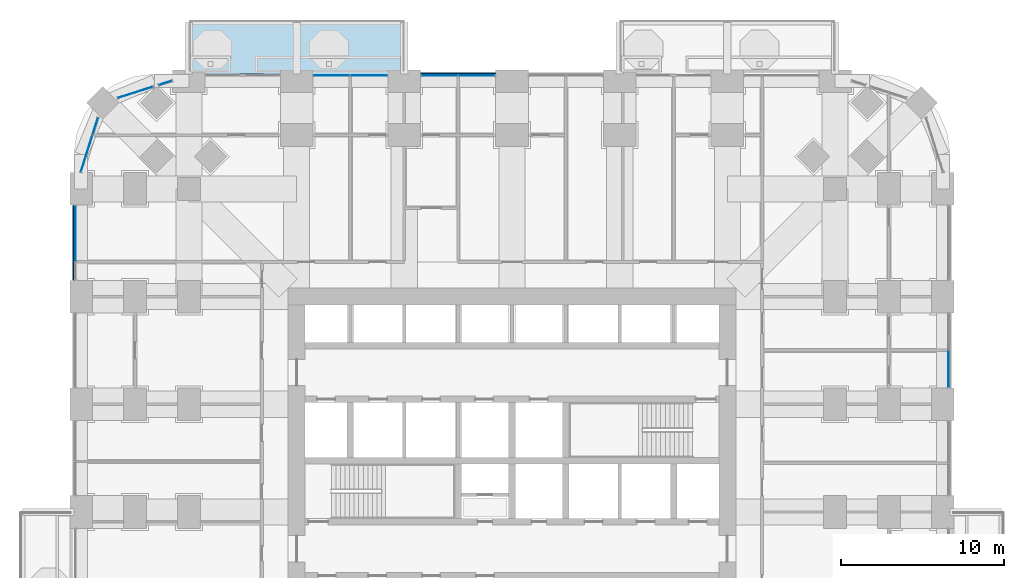
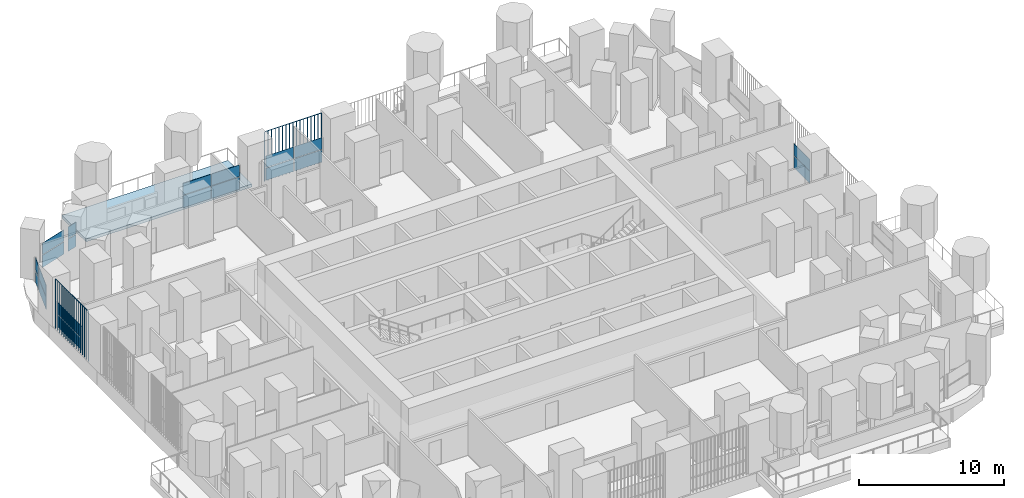
# One storey, part 14 of 27: 22 plates, 1 slab, 7 elements without a shape of their own.
"""IFC4 building model written with IfcOpenShell, lengths in metres."""

from ifc_helpers import new_model, si_unit, direction, frame, origin, origin_2d, place, context, subcontext, project, spatial, polyline, rectangle, outline, extrude, material, layer, layer_set, type_object, element, aggregate, save


model = new_model("IFC4")

# Units and contexts
model_context = context("Model", 3, precision=1e-05, world=origin(), true_north=direction((0.0, 1.0)))
body_context = subcontext(model_context, "Body", "Model", "MODEL_VIEW")
ifc_project = project(units=[si_unit("LENGTHUNIT", "METRE"), si_unit("AREAUNIT", "SQUARE_METRE"), si_unit("VOLUMEUNIT", "CUBIC_METRE"), si_unit("PLANEANGLEUNIT", "RADIAN"), si_unit("MASSUNIT", "GRAM", prefix="KILO")], contexts=[model_context])

# Site, building, storey
site_placement = place(None, origin())
site = spatial("IfcSite", under=ifc_project, at=site_placement, CompositionType="ELEMENT")
building_placement = place(site_placement, origin())
building = spatial("IfcBuilding", under=site, at=building_placement, Name="Cobogo Forest Laboratory Tower", CompositionType="ELEMENT")
storey_placement = place(building_placement, frame((0.0, 0.0, 71.699951171875)))
storey = spatial("IfcBuildingStorey", under=building, at=storey_placement, Name="L16", CompositionType="ELEMENT", Elevation=71.699951171875)

# Slab
ifc_material_1 = material(Name="Concrete HA-40 (C40/50)", Category="concrete")
ifc_layer_1 = layer(ifc_material_1, 0.25)
ifc_layer_set_1 = layer_set([ifc_layer_1], Name="Balcony slab 250")
slab_type = type_object("IfcSlabType", Name="Balcony slab 250", PredefinedType="FLOOR", material=ifc_layer_set_1)
slab_placement = place(storey_placement, frame((0.0, 0.0, -0.25)))
element("IfcSlab", 1, at=slab_placement, inside=storey, type_object=slab_type, Name="Balcony BAL-N1 L16", PredefinedType="FLOOR", context=body_context, shape_type="SweptSolid", body=[
    extrude(outline(polyline([(6.60009765625, 46.64990234375), (19.800048828125, 46.64990234375), (19.800048828125, 49.949951171875), (6.60009765625, 49.949951171875), (6.60009765625, 46.64990234375)])), origin(), (0.0, 0.0, 1.0), 0.25),
])

# Curtain wall, plates
ifc_material_2 = material(Name="Aluminium curtain wall", Category="aluminium")
curtain_wall_type = type_object("IfcCurtainWallType", Name="CW-1 unitised curtain wall, clear glazing, laboratory floors zones A and B", PredefinedType="USERDEFINED", material=ifc_material_2)
curtain_wall_1_placement = place(storey_placement, origin())
curtain_wall_1 = element("IfcCurtainWall", 2, at=curtain_wall_1_placement, inside=storey, type_object=curtain_wall_type, Name="Curtain wall 13 L16", ObjectType="UNITISED CURTAIN WALL", PredefinedType="USERDEFINED")
ifc_material_3 = material(Name="Clear insulated glass", Category="glass")
ifc_layer_2 = layer(ifc_material_3, 0.028076171875)
ifc_layer_set_2 = layer_set([ifc_layer_2], Name="GP-1 clear insulated glass unit 28")
plate_type_1 = type_object("IfcPlateType", Name="GP-1 clear insulated glass unit 28", PredefinedType="CURTAIN_PANEL", material=ifc_layer_set_2)
plate_1_placement = place(storey_placement, frame((53.14990234375, 28.56494140625, 0.0), z_axis=(0.0, 0.0, 1.0), x_axis=(0.0, 1.0, 0.0)))
plate_1 = element("IfcPlate", 3, at=plate_1_placement, type_object=plate_type_1, Name="CW-1 panel 1.1", PredefinedType="CURTAIN_PANEL", context=body_context, shape_type="SweptSolid", body=[
    extrude(rectangle(XDim=2.2099609375, YDim=0.028076171875, at=origin_2d()), origin(), (0.0, 0.0, 1.0), 1.02001953125),
])
plate_2_placement = place(storey_placement, frame((53.14990234375, 28.56494140625, 1.080078125), z_axis=(0.0, 0.0, 1.0), x_axis=(0.0, 1.0, 0.0)))
plate_2 = element("IfcPlate", 4, at=plate_2_placement, type_object=plate_type_1, Name="CW-1 panel 1.2", PredefinedType="CURTAIN_PANEL", context=body_context, shape_type="SweptSolid", body=[
    extrude(rectangle(XDim=2.2099609375, YDim=0.028076171875, at=origin_2d()), origin(), (0.0, 0.0, 1.0), 0.969970703125),
])
aggregate(curtain_wall_1, [plate_1, plate_2])

curtain_wall_2_placement = place(storey_placement, origin())
curtain_wall_2 = element("IfcCurtainWall", 5, at=curtain_wall_2_placement, inside=storey, type_object=curtain_wall_type, Name="Curtain wall 21 L16", ObjectType="UNITISED CURTAIN WALL", PredefinedType="USERDEFINED")
plate_3_placement = place(storey_placement, frame((24.235107421875, 46.550048828125, 0.0), z_axis=(0.0, 0.0, 1.0), x_axis=(-1.0, 0.0, 0.0)))
plate_3 = element("IfcPlate", 6, at=plate_3_placement, type_object=plate_type_1, Name="CW-1 panel 1.1", PredefinedType="CURTAIN_PANEL", context=body_context, shape_type="SweptSolid", body=[
    extrude(rectangle(XDim=2.2099609375, YDim=0.028076171875, at=origin_2d()), origin(), (0.0, 0.0, 1.0), 1.02001953125),
])
plate_4_placement = place(storey_placement, frame((24.235107421875, 46.550048828125, 1.080078125), z_axis=(0.0, 0.0, 1.0), x_axis=(-1.0, 0.0, 0.0)))
plate_4 = element("IfcPlate", 7, at=plate_4_placement, type_object=plate_type_1, Name="CW-1 panel 1.2", PredefinedType="CURTAIN_PANEL", context=body_context, shape_type="SweptSolid", body=[
    extrude(rectangle(XDim=2.2099609375, YDim=0.028076171875, at=origin_2d()), origin(), (0.0, 0.0, 1.0), 0.969970703125),
])
plate_5_placement = place(storey_placement, frame((21.965087890625, 46.550048828125, 0.0), z_axis=(0.0, 0.0, 1.0), x_axis=(-1.0, 0.0, 0.0)))
plate_5 = element("IfcPlate", 8, at=plate_5_placement, type_object=plate_type_1, Name="CW-1 panel 2.1", PredefinedType="CURTAIN_PANEL", context=body_context, shape_type="SweptSolid", body=[
    extrude(rectangle(XDim=2.2099609375, YDim=0.028076171875, at=origin_2d()), origin(), (0.0, 0.0, 1.0), 1.02001953125),
])
plate_6_placement = place(storey_placement, frame((21.965087890625, 46.550048828125, 1.080078125), z_axis=(0.0, 0.0, 1.0), x_axis=(-1.0, 0.0, 0.0)))
plate_6 = element("IfcPlate", 9, at=plate_6_placement, type_object=plate_type_1, Name="CW-1 panel 2.2", PredefinedType="CURTAIN_PANEL", context=body_context, shape_type="SweptSolid", body=[
    extrude(rectangle(XDim=2.2099609375, YDim=0.028076171875, at=origin_2d()), origin(), (0.0, 0.0, 1.0), 0.969970703125),
])
aggregate(curtain_wall_2, [plate_3, plate_4, plate_5, plate_6])

curtain_wall_3_placement = place(storey_placement, origin())
curtain_wall_3 = element("IfcCurtainWall", 10, at=curtain_wall_3_placement, inside=storey, type_object=curtain_wall_type, Name="Curtain wall 22 L16", ObjectType="UNITISED CURTAIN WALL", PredefinedType="USERDEFINED")
plate_7_placement = place(storey_placement, frame((17.635009765625, 46.550048828125, 0.0), z_axis=(0.0, 0.0, 1.0), x_axis=(-1.0, 0.0, 0.0)))
plate_7 = element("IfcPlate", 11, at=plate_7_placement, type_object=plate_type_1, Name="CW-1 panel 1.1", PredefinedType="CURTAIN_PANEL", context=body_context, shape_type="SweptSolid", body=[
    extrude(rectangle(XDim=2.2099609375, YDim=0.028076171875, at=origin_2d()), origin(), (0.0, 0.0, 1.0), 1.02001953125),
])
plate_8_placement = place(storey_placement, frame((17.635009765625, 46.550048828125, 1.080078125), z_axis=(0.0, 0.0, 1.0), x_axis=(-1.0, 0.0, 0.0)))
plate_8 = element("IfcPlate", 12, at=plate_8_placement, type_object=plate_type_1, Name="CW-1 panel 1.2", PredefinedType="CURTAIN_PANEL", context=body_context, shape_type="SweptSolid", body=[
    extrude(rectangle(XDim=2.2099609375, YDim=0.028076171875, at=origin_2d()), origin(), (0.0, 0.0, 1.0), 0.969970703125),
])
plate_9_placement = place(storey_placement, frame((15.364990234375, 46.550048828125, 0.0), z_axis=(0.0, 0.0, 1.0), x_axis=(-1.0, 0.0, 0.0)))
plate_9 = element("IfcPlate", 13, at=plate_9_placement, type_object=plate_type_1, Name="CW-1 panel 2.1", PredefinedType="CURTAIN_PANEL", context=body_context, shape_type="SweptSolid", body=[
    extrude(rectangle(XDim=2.2099609375, YDim=0.028076171875, at=origin_2d()), origin(), (0.0, 0.0, 1.0), 1.02001953125),
])
plate_10_placement = place(storey_placement, frame((15.364990234375, 46.550048828125, 1.080078125), z_axis=(0.0, 0.0, 1.0), x_axis=(-1.0, 0.0, 0.0)))
plate_10 = element("IfcPlate", 14, at=plate_10_placement, type_object=plate_type_1, Name="CW-1 panel 2.2", PredefinedType="CURTAIN_PANEL", context=body_context, shape_type="SweptSolid", body=[
    extrude(rectangle(XDim=2.2099609375, YDim=0.028076171875, at=origin_2d()), origin(), (0.0, 0.0, 1.0), 0.969970703125),
])
aggregate(curtain_wall_3, [plate_7, plate_8, plate_9, plate_10])

curtain_wall_4_placement = place(storey_placement, origin())
curtain_wall_4 = element("IfcCurtainWall", 15, at=curtain_wall_4_placement, inside=storey, type_object=curtain_wall_type, Name="Curtain wall 24 L16", ObjectType="UNITISED CURTAIN WALL", PredefinedType="USERDEFINED")
plate_11_placement = place(storey_placement, frame((5.158935546875, 46.094970703125, 0.0), z_axis=(0.0, 0.0, 1.0), x_axis=(-0.953581406818, -0.301135352577, 0.0)))
plate_11 = element("IfcPlate", 16, at=plate_11_placement, type_object=plate_type_1, Name="CW-1 panel 1.1", PredefinedType="CURTAIN_PANEL", context=body_context, shape_type="SweptSolid", body=[
    extrude(rectangle(XDim=0.804931640625, YDim=0.028076171875, at=origin_2d()), origin(), (0.0, 0.0, 1.0), 1.02001953125),
])
plate_12_placement = place(storey_placement, frame((5.158935546875, 46.094970703125, 1.080078125), z_axis=(0.0, 0.0, 1.0), x_axis=(-0.953581406818, -0.301135352577, 0.0)))
plate_12 = element("IfcPlate", 17, at=plate_12_placement, type_object=plate_type_1, Name="CW-1 panel 1.2", PredefinedType="CURTAIN_PANEL", context=body_context, shape_type="SweptSolid", body=[
    extrude(rectangle(XDim=0.804931640625, YDim=0.028076171875, at=origin_2d()), origin(), (0.0, 0.0, 1.0), 0.969970703125),
])
aggregate(curtain_wall_4, [plate_11, plate_12])

curtain_wall_5_placement = place(storey_placement, origin())
curtain_wall_5 = element("IfcCurtainWall", 18, at=curtain_wall_5_placement, inside=storey, type_object=curtain_wall_type, Name="Curtain wall 25 L16", ObjectType="UNITISED CURTAIN WALL", PredefinedType="USERDEFINED")
plate_13_placement = place(storey_placement, frame((3.31787109375, 45.513427734375, 0.0), z_axis=(0.0, 0.0, 1.0), x_axis=(-0.953581409645, -0.301135343623, 0.0)))
plate_13 = element("IfcPlate", 19, at=plate_13_placement, type_object=plate_type_1, Name="CW-1 panel 1.1", PredefinedType="CURTAIN_PANEL", context=body_context, shape_type="SweptSolid", body=[
    extrude(rectangle(XDim=2.203369140625, YDim=0.028076171875, at=origin_2d()), origin(), (0.0, 0.0, 1.0), 1.02001953125),
])
plate_14_placement = place(storey_placement, frame((3.31787109375, 45.513427734375, 1.080078125), z_axis=(0.0, 0.0, 1.0), x_axis=(-0.953581409645, -0.301135343623, 0.0)))
plate_14 = element("IfcPlate", 20, at=plate_14_placement, type_object=plate_type_1, Name="CW-1 panel 1.2", PredefinedType="CURTAIN_PANEL", context=body_context, shape_type="SweptSolid", body=[
    extrude(rectangle(XDim=2.203369140625, YDim=0.028076171875, at=origin_2d()), origin(), (0.0, 0.0, 1.0), 0.969970703125),
])
aggregate(curtain_wall_5, [plate_13, plate_14])

curtain_wall_6_placement = place(storey_placement, origin())
curtain_wall_6 = element("IfcCurtainWall", 21, at=curtain_wall_6_placement, inside=storey, type_object=curtain_wall_type, Name="Curtain wall 26 L16", ObjectType="UNITISED CURTAIN WALL", PredefinedType="USERDEFINED")
plate_15_placement = place(storey_placement, frame((0.863525390625, 43.442626953125, 0.0), z_axis=(0.0, 0.0, 1.0), x_axis=(-0.301135433696, -0.953581381201, 0.0)))
plate_15 = element("IfcPlate", 22, at=plate_15_placement, type_object=plate_type_1, Name="CW-1 panel 1.1", PredefinedType="CURTAIN_PANEL", context=body_context, shape_type="SweptSolid", body=[
    extrude(rectangle(XDim=1.027587890625, YDim=0.028076171875, at=origin_2d()), origin(), (0.0, 0.0, 1.0), 1.02001953125),
])
plate_16_placement = place(storey_placement, frame((0.863525390625, 43.442626953125, 1.080078125), z_axis=(0.0, 0.0, 1.0), x_axis=(-0.301135433696, -0.953581381201, 0.0)))
plate_16 = element("IfcPlate", 23, at=plate_16_placement, type_object=plate_type_1, Name="CW-1 panel 1.2", PredefinedType="CURTAIN_PANEL", context=body_context, shape_type="SweptSolid", body=[
    extrude(rectangle(XDim=1.027587890625, YDim=0.028076171875, at=origin_2d()), origin(), (0.0, 0.0, 1.0), 0.969970703125),
])
plate_17_placement = place(storey_placement, frame((0.337158203125, 41.7763671875, 0.0), z_axis=(0.0, 0.0, 1.0), x_axis=(-0.301135433696, -0.953581381201, 0.0)))
plate_17 = element("IfcPlate", 24, at=plate_17_placement, type_object=plate_type_1, Name="CW-1 panel 2.1", PredefinedType="CURTAIN_PANEL", context=body_context, shape_type="SweptSolid", body=[
    extrude(rectangle(XDim=2.34716796875, YDim=0.028076171875, at=origin_2d()), origin(), (0.0, 0.0, 1.0), 1.02001953125),
])
plate_18_placement = place(storey_placement, frame((0.337158203125, 41.7763671875, 1.080078125), z_axis=(0.0, 0.0, 1.0), x_axis=(-0.301135433696, -0.953581381201, 0.0)))
plate_18 = element("IfcPlate", 25, at=plate_18_placement, type_object=plate_type_1, Name="CW-1 panel 2.2", PredefinedType="CURTAIN_PANEL", context=body_context, shape_type="SweptSolid", body=[
    extrude(rectangle(XDim=2.34716796875, YDim=0.028076171875, at=origin_2d()), origin(), (0.0, 0.0, 1.0), 0.969970703125),
])
aggregate(curtain_wall_6, [plate_15, plate_16, plate_17, plate_18])

curtain_wall_7_placement = place(storey_placement, origin())
curtain_wall_7 = element("IfcCurtainWall", 26, at=curtain_wall_7_placement, inside=storey, type_object=curtain_wall_type, Name="Curtain wall 27 L16", ObjectType="UNITISED CURTAIN WALL", PredefinedType="USERDEFINED")
plate_19_placement = place(storey_placement, frame((-0.35009765625, 36.847412109375, 0.0), z_axis=(0.0, 0.0, 1.0), x_axis=(0.0, -1.0, 0.0)))
plate_19 = element("IfcPlate", 27, at=plate_19_placement, type_object=plate_type_1, Name="CW-1 panel 1.1", PredefinedType="CURTAIN_PANEL", context=body_context, shape_type="SweptSolid", body=[
    extrude(rectangle(XDim=3.385009765625, YDim=0.028076171875, at=origin_2d()), origin(), (0.0, 0.0, 1.0), 1.02001953125),
])
plate_20_placement = place(storey_placement, frame((-0.35009765625, 36.847412109375, 1.080078125), z_axis=(0.0, 0.0, 1.0), x_axis=(0.0, -1.0, 0.0)))
plate_20 = element("IfcPlate", 28, at=plate_20_placement, type_object=plate_type_1, Name="CW-1 panel 1.2", PredefinedType="CURTAIN_PANEL", context=body_context, shape_type="SweptSolid", body=[
    extrude(rectangle(XDim=3.385009765625, YDim=0.028076171875, at=origin_2d()), origin(), (0.0, 0.0, 1.0), 0.969970703125),
])
aggregate(curtain_wall_7, [plate_19, plate_20])

# Plates
ifc_material_4 = material(Name="Terracotta", Category="masonry")
plate_type_2 = type_object("IfcPlateType", Name="TB1 terracotta baguette screen", PredefinedType="USERDEFINED", material=ifc_material_4)
plate_21_placement = place(storey_placement, frame((20.831298828125, 46.677978515625, -0.14990234375)))
element("IfcPlate", 29, at=plate_21_placement, inside=storey, type_object=plate_type_2, Name="Baguette screen N3 L16", ObjectType="BAGUETTE SCREEN", PredefinedType="USERDEFINED", context=body_context, shape_type="SweptSolid", body=[
    extrude(outline(polyline([(0.02880859375, 0.011962890625), (0.011962890625, 0.02880859375), (-0.011962890625, 0.02880859375), (-0.02880859375, 0.011962890625), (-0.02880859375, -0.011962890625), (-0.011962890625, -0.02880859375), (0.011962890625, -0.02880859375), (0.02880859375, -0.011962890625), (0.02880859375, 0.011962890625)])), frame((0.0, 0.0, 4.168701171875), z_axis=(1.0, 0.0, 0.0), x_axis=(0.0, 1.0, 0.0)), (0.0, 0.0, 1.0), 4.537353515625),
    extrude(outline(polyline([(0.02880859375, 0.011962890625), (0.011962890625, 0.02880859375), (-0.011962890625, 0.02880859375), (-0.02880859375, 0.011962890625), (-0.02880859375, -0.011962890625), (-0.011962890625, -0.02880859375), (0.011962890625, -0.02880859375), (0.02880859375, -0.011962890625), (0.02880859375, 0.011962890625)])), origin(), (0.0, 0.0, 1.0), 4.137451171875),
    extrude(outline(polyline([(0.02880859375, 0.011962890625), (0.011962890625, 0.02880859375), (-0.011962890625, 0.02880859375), (-0.02880859375, 0.011962890625), (-0.02880859375, -0.011962890625), (-0.011962890625, -0.02880859375), (0.011962890625, -0.02880859375), (0.02880859375, -0.011962890625), (0.02880859375, 0.011962890625)])), frame((0.28369140625, 0.0, 0.0)), (0.0, 0.0, 1.0), 4.137451171875),
    extrude(outline(polyline([(0.02880859375, 0.011962890625), (0.011962890625, 0.02880859375), (-0.011962890625, 0.02880859375), (-0.02880859375, 0.011962890625), (-0.02880859375, -0.011962890625), (-0.011962890625, -0.02880859375), (0.011962890625, -0.02880859375), (0.02880859375, -0.011962890625), (0.02880859375, 0.011962890625)])), frame((0.567138671875, 0.0, 0.0)), (0.0, 0.0, 1.0), 4.137451171875),
    extrude(outline(polyline([(0.02880859375, 0.011962890625), (0.011962890625, 0.02880859375), (-0.011962890625, 0.02880859375), (-0.02880859375, 0.011962890625), (-0.02880859375, -0.011962890625), (-0.011962890625, -0.02880859375), (0.011962890625, -0.02880859375), (0.02880859375, -0.011962890625), (0.02880859375, 0.011962890625)])), frame((0.850830078125, 0.0, 0.0)), (0.0, 0.0, 1.0), 4.137451171875),
    extrude(outline(polyline([(0.02880859375, 0.011962890625), (0.011962890625, 0.02880859375), (-0.011962890625, 0.02880859375), (-0.02880859375, 0.011962890625), (-0.02880859375, -0.011962890625), (-0.011962890625, -0.02880859375), (0.011962890625, -0.02880859375), (0.02880859375, -0.011962890625), (0.02880859375, 0.011962890625)])), frame((1.13427734375, 0.0, 0.0)), (0.0, 0.0, 1.0), 4.137451171875),
    extrude(outline(polyline([(0.02880859375, 0.011962890625), (0.011962890625, 0.02880859375), (-0.011962890625, 0.02880859375), (-0.02880859375, 0.011962890625), (-0.02880859375, -0.011962890625), (-0.011962890625, -0.02880859375), (0.011962890625, -0.02880859375), (0.02880859375, -0.011962890625), (0.02880859375, 0.011962890625)])), frame((1.41796875, 0.0, 0.0)), (0.0, 0.0, 1.0), 4.137451171875),
    extrude(outline(polyline([(0.02880859375, 0.011962890625), (0.011962890625, 0.02880859375), (-0.011962890625, 0.02880859375), (-0.02880859375, 0.011962890625), (-0.02880859375, -0.011962890625), (-0.011962890625, -0.02880859375), (0.011962890625, -0.02880859375), (0.02880859375, -0.011962890625), (0.02880859375, 0.011962890625)])), frame((1.701416015625, 0.0, 0.0)), (0.0, 0.0, 1.0), 4.137451171875),
    extrude(outline(polyline([(0.02880859375, 0.011962890625), (0.011962890625, 0.02880859375), (-0.011962890625, 0.02880859375), (-0.02880859375, 0.011962890625), (-0.02880859375, -0.011962890625), (-0.011962890625, -0.02880859375), (0.011962890625, -0.02880859375), (0.02880859375, -0.011962890625), (0.02880859375, 0.011962890625)])), frame((1.985107421875, 0.0, 0.0)), (0.0, 0.0, 1.0), 4.137451171875),
    extrude(outline(polyline([(0.02880859375, 0.011962890625), (0.011962890625, 0.02880859375), (-0.011962890625, 0.02880859375), (-0.02880859375, 0.011962890625), (-0.02880859375, -0.011962890625), (-0.011962890625, -0.02880859375), (0.011962890625, -0.02880859375), (0.02880859375, -0.011962890625), (0.02880859375, 0.011962890625)])), frame((2.2685546875, 0.0, 0.0)), (0.0, 0.0, 1.0), 4.137451171875),
    extrude(outline(polyline([(0.02880859375, 0.011962890625), (0.011962890625, 0.02880859375), (-0.011962890625, 0.02880859375), (-0.02880859375, 0.011962890625), (-0.02880859375, -0.011962890625), (-0.011962890625, -0.02880859375), (0.011962890625, -0.02880859375), (0.02880859375, -0.011962890625), (0.02880859375, 0.011962890625)])), frame((2.55224609375, 0.0, 0.0)), (0.0, 0.0, 1.0), 4.137451171875),
    extrude(outline(polyline([(0.02880859375, 0.011962890625), (0.011962890625, 0.02880859375), (-0.011962890625, 0.02880859375), (-0.02880859375, 0.011962890625), (-0.02880859375, -0.011962890625), (-0.011962890625, -0.02880859375), (0.011962890625, -0.02880859375), (0.02880859375, -0.011962890625), (0.02880859375, 0.011962890625)])), frame((2.8359375, 0.0, 0.0)), (0.0, 0.0, 1.0), 4.137451171875),
    extrude(outline(polyline([(0.02880859375, 0.011962890625), (0.011962890625, 0.02880859375), (-0.011962890625, 0.02880859375), (-0.02880859375, 0.011962890625), (-0.02880859375, -0.011962890625), (-0.011962890625, -0.02880859375), (0.011962890625, -0.02880859375), (0.02880859375, -0.011962890625), (0.02880859375, 0.011962890625)])), frame((3.119384765625, 0.0, 0.0)), (0.0, 0.0, 1.0), 4.137451171875),
    extrude(outline(polyline([(0.02880859375, 0.011962890625), (0.011962890625, 0.02880859375), (-0.011962890625, 0.02880859375), (-0.02880859375, 0.011962890625), (-0.02880859375, -0.011962890625), (-0.011962890625, -0.02880859375), (0.011962890625, -0.02880859375), (0.02880859375, -0.011962890625), (0.02880859375, 0.011962890625)])), frame((3.403076171875, 0.0, 0.0)), (0.0, 0.0, 1.0), 4.137451171875),
    extrude(outline(polyline([(0.02880859375, 0.011962890625), (0.011962890625, 0.02880859375), (-0.011962890625, 0.02880859375), (-0.02880859375, 0.011962890625), (-0.02880859375, -0.011962890625), (-0.011962890625, -0.02880859375), (0.011962890625, -0.02880859375), (0.02880859375, -0.011962890625), (0.02880859375, 0.011962890625)])), frame((3.6865234375, 0.0, 0.0)), (0.0, 0.0, 1.0), 4.137451171875),
    extrude(outline(polyline([(0.02880859375, 0.011962890625), (0.011962890625, 0.02880859375), (-0.011962890625, 0.02880859375), (-0.02880859375, 0.011962890625), (-0.02880859375, -0.011962890625), (-0.011962890625, -0.02880859375), (0.011962890625, -0.02880859375), (0.02880859375, -0.011962890625), (0.02880859375, 0.011962890625)])), frame((3.97021484375, 0.0, 0.0)), (0.0, 0.0, 1.0), 4.137451171875),
    extrude(outline(polyline([(0.02880859375, 0.011962890625), (0.011962890625, 0.02880859375), (-0.011962890625, 0.02880859375), (-0.02880859375, 0.011962890625), (-0.02880859375, -0.011962890625), (-0.011962890625, -0.02880859375), (0.011962890625, -0.02880859375), (0.02880859375, -0.011962890625), (0.02880859375, 0.011962890625)])), frame((4.253662109375, 0.0, 0.0)), (0.0, 0.0, 1.0), 4.137451171875),
    extrude(outline(polyline([(0.02880859375, 0.011962890625), (0.011962890625, 0.02880859375), (-0.011962890625, 0.02880859375), (-0.02880859375, 0.011962890625), (-0.02880859375, -0.011962890625), (-0.011962890625, -0.02880859375), (0.011962890625, -0.02880859375), (0.02880859375, -0.011962890625), (0.02880859375, 0.011962890625)])), frame((4.537353515625, 0.0, 0.0)), (0.0, 0.0, 1.0), 4.137451171875),
])
plate_22_placement = place(storey_placement, frame((-0.477783203125, 34.03125, -0.14990234375)))
element("IfcPlate", 30, at=plate_22_placement, inside=storey, type_object=plate_type_2, Name="Baguette screen W5 L16", ObjectType="BAGUETTE SCREEN", PredefinedType="USERDEFINED", context=body_context, shape_type="SweptSolid", body=[
    extrude(outline(polyline([(0.02880859375, 0.011962890625), (0.011962890625, 0.02880859375), (-0.011962890625, 0.02880859375), (-0.02880859375, 0.011962890625), (-0.02880859375, -0.011962890625), (-0.011962890625, -0.02880859375), (0.011962890625, -0.02880859375), (0.02880859375, -0.011962890625), (0.02880859375, 0.011962890625)])), frame((0.0, 0.0, 4.168701171875), z_axis=(0.0, 1.0, 0.0), x_axis=(-1.0, 0.0, 0.0)), (0.0, 0.0, 1.0), 4.53759765625),
    extrude(outline(polyline([(0.02880859375, 0.011962890625), (0.011962890625, 0.02880859375), (-0.011962890625, 0.02880859375), (-0.02880859375, 0.011962890625), (-0.02880859375, -0.011962890625), (-0.011962890625, -0.02880859375), (0.011962890625, -0.02880859375), (0.02880859375, -0.011962890625), (0.02880859375, 0.011962890625)])), origin(), (0.0, 0.0, 1.0), 4.137451171875),
    extrude(outline(polyline([(0.02880859375, 0.011962890625), (0.011962890625, 0.02880859375), (-0.011962890625, 0.02880859375), (-0.02880859375, 0.011962890625), (-0.02880859375, -0.011962890625), (-0.011962890625, -0.02880859375), (0.011962890625, -0.02880859375), (0.02880859375, -0.011962890625), (0.02880859375, 0.011962890625)])), frame((0.0, 0.28369140625, 0.0)), (0.0, 0.0, 1.0), 4.137451171875),
    extrude(outline(polyline([(0.02880859375, 0.011962890625), (0.011962890625, 0.02880859375), (-0.011962890625, 0.02880859375), (-0.02880859375, 0.011962890625), (-0.02880859375, -0.011962890625), (-0.011962890625, -0.02880859375), (0.011962890625, -0.02880859375), (0.02880859375, -0.011962890625), (0.02880859375, 0.011962890625)])), frame((0.0, 0.567138671875, 0.0)), (0.0, 0.0, 1.0), 4.137451171875),
    extrude(outline(polyline([(0.02880859375, 0.011962890625), (0.011962890625, 0.02880859375), (-0.011962890625, 0.02880859375), (-0.02880859375, 0.011962890625), (-0.02880859375, -0.011962890625), (-0.011962890625, -0.02880859375), (0.011962890625, -0.02880859375), (0.02880859375, -0.011962890625), (0.02880859375, 0.011962890625)])), frame((0.0, 0.850830078125, 0.0)), (0.0, 0.0, 1.0), 4.137451171875),
    extrude(outline(polyline([(0.02880859375, 0.011962890625), (0.011962890625, 0.02880859375), (-0.011962890625, 0.02880859375), (-0.02880859375, 0.011962890625), (-0.02880859375, -0.011962890625), (-0.011962890625, -0.02880859375), (0.011962890625, -0.02880859375), (0.02880859375, -0.011962890625), (0.02880859375, 0.011962890625)])), frame((0.0, 1.13427734375, 0.0)), (0.0, 0.0, 1.0), 4.137451171875),
    extrude(outline(polyline([(0.02880859375, 0.011962890625), (0.011962890625, 0.02880859375), (-0.011962890625, 0.02880859375), (-0.02880859375, 0.011962890625), (-0.02880859375, -0.011962890625), (-0.011962890625, -0.02880859375), (0.011962890625, -0.02880859375), (0.02880859375, -0.011962890625), (0.02880859375, 0.011962890625)])), frame((0.0, 1.41796875, 0.0)), (0.0, 0.0, 1.0), 4.137451171875),
    extrude(outline(polyline([(0.02880859375, 0.011962890625), (0.011962890625, 0.02880859375), (-0.011962890625, 0.02880859375), (-0.02880859375, 0.011962890625), (-0.02880859375, -0.011962890625), (-0.011962890625, -0.02880859375), (0.011962890625, -0.02880859375), (0.02880859375, -0.011962890625), (0.02880859375, 0.011962890625)])), frame((0.0, 1.70166015625, 0.0)), (0.0, 0.0, 1.0), 4.137451171875),
    extrude(outline(polyline([(0.02880859375, 0.011962890625), (0.011962890625, 0.02880859375), (-0.011962890625, 0.02880859375), (-0.02880859375, 0.011962890625), (-0.02880859375, -0.011962890625), (-0.011962890625, -0.02880859375), (0.011962890625, -0.02880859375), (0.02880859375, -0.011962890625), (0.02880859375, 0.011962890625)])), frame((0.0, 1.985107421875, 0.0)), (0.0, 0.0, 1.0), 4.137451171875),
    extrude(outline(polyline([(0.02880859375, 0.011962890625), (0.011962890625, 0.02880859375), (-0.011962890625, 0.02880859375), (-0.02880859375, 0.011962890625), (-0.02880859375, -0.011962890625), (-0.011962890625, -0.02880859375), (0.011962890625, -0.02880859375), (0.02880859375, -0.011962890625), (0.02880859375, 0.011962890625)])), frame((0.0, 2.268798828125, 0.0)), (0.0, 0.0, 1.0), 4.137451171875),
    extrude(outline(polyline([(0.02880859375, 0.011962890625), (0.011962890625, 0.02880859375), (-0.011962890625, 0.02880859375), (-0.02880859375, 0.011962890625), (-0.02880859375, -0.011962890625), (-0.011962890625, -0.02880859375), (0.011962890625, -0.02880859375), (0.02880859375, -0.011962890625), (0.02880859375, 0.011962890625)])), frame((0.0, 2.552490234375, 0.0)), (0.0, 0.0, 1.0), 4.137451171875),
    extrude(outline(polyline([(0.02880859375, 0.011962890625), (0.011962890625, 0.02880859375), (-0.011962890625, 0.02880859375), (-0.02880859375, 0.011962890625), (-0.02880859375, -0.011962890625), (-0.011962890625, -0.02880859375), (0.011962890625, -0.02880859375), (0.02880859375, -0.011962890625), (0.02880859375, 0.011962890625)])), frame((0.0, 2.8359375, 0.0)), (0.0, 0.0, 1.0), 4.137451171875),
    extrude(outline(polyline([(0.02880859375, 0.011962890625), (0.011962890625, 0.02880859375), (-0.011962890625, 0.02880859375), (-0.02880859375, 0.011962890625), (-0.02880859375, -0.011962890625), (-0.011962890625, -0.02880859375), (0.011962890625, -0.02880859375), (0.02880859375, -0.011962890625), (0.02880859375, 0.011962890625)])), frame((0.0, 3.11962890625, 0.0)), (0.0, 0.0, 1.0), 4.137451171875),
    extrude(outline(polyline([(0.02880859375, 0.011962890625), (0.011962890625, 0.02880859375), (-0.011962890625, 0.02880859375), (-0.02880859375, 0.011962890625), (-0.02880859375, -0.011962890625), (-0.011962890625, -0.02880859375), (0.011962890625, -0.02880859375), (0.02880859375, -0.011962890625), (0.02880859375, 0.011962890625)])), frame((0.0, 3.4033203125, 0.0)), (0.0, 0.0, 1.0), 4.137451171875),
    extrude(outline(polyline([(0.02880859375, 0.011962890625), (0.011962890625, 0.02880859375), (-0.011962890625, 0.02880859375), (-0.02880859375, 0.011962890625), (-0.02880859375, -0.011962890625), (-0.011962890625, -0.02880859375), (0.011962890625, -0.02880859375), (0.02880859375, -0.011962890625), (0.02880859375, 0.011962890625)])), frame((0.0, 3.686767578125, 0.0)), (0.0, 0.0, 1.0), 4.137451171875),
    extrude(outline(polyline([(0.02880859375, 0.011962890625), (0.011962890625, 0.02880859375), (-0.011962890625, 0.02880859375), (-0.02880859375, 0.011962890625), (-0.02880859375, -0.011962890625), (-0.011962890625, -0.02880859375), (0.011962890625, -0.02880859375), (0.02880859375, -0.011962890625), (0.02880859375, 0.011962890625)])), frame((0.0, 3.970458984375, 0.0)), (0.0, 0.0, 1.0), 4.137451171875),
    extrude(outline(polyline([(0.02880859375, 0.011962890625), (0.011962890625, 0.02880859375), (-0.011962890625, 0.02880859375), (-0.02880859375, 0.011962890625), (-0.02880859375, -0.011962890625), (-0.011962890625, -0.02880859375), (0.011962890625, -0.02880859375), (0.02880859375, -0.011962890625), (0.02880859375, 0.011962890625)])), frame((0.0, 4.25390625, 0.0)), (0.0, 0.0, 1.0), 4.137451171875),
    extrude(outline(polyline([(0.02880859375, 0.011962890625), (0.011962890625, 0.02880859375), (-0.011962890625, 0.02880859375), (-0.02880859375, 0.011962890625), (-0.02880859375, -0.011962890625), (-0.011962890625, -0.02880859375), (0.011962890625, -0.02880859375), (0.02880859375, -0.011962890625), (0.02880859375, 0.011962890625)])), frame((0.0, 4.53759765625, 0.0)), (0.0, 0.0, 1.0), 4.137451171875),
])

save(model, "model.ifc")
